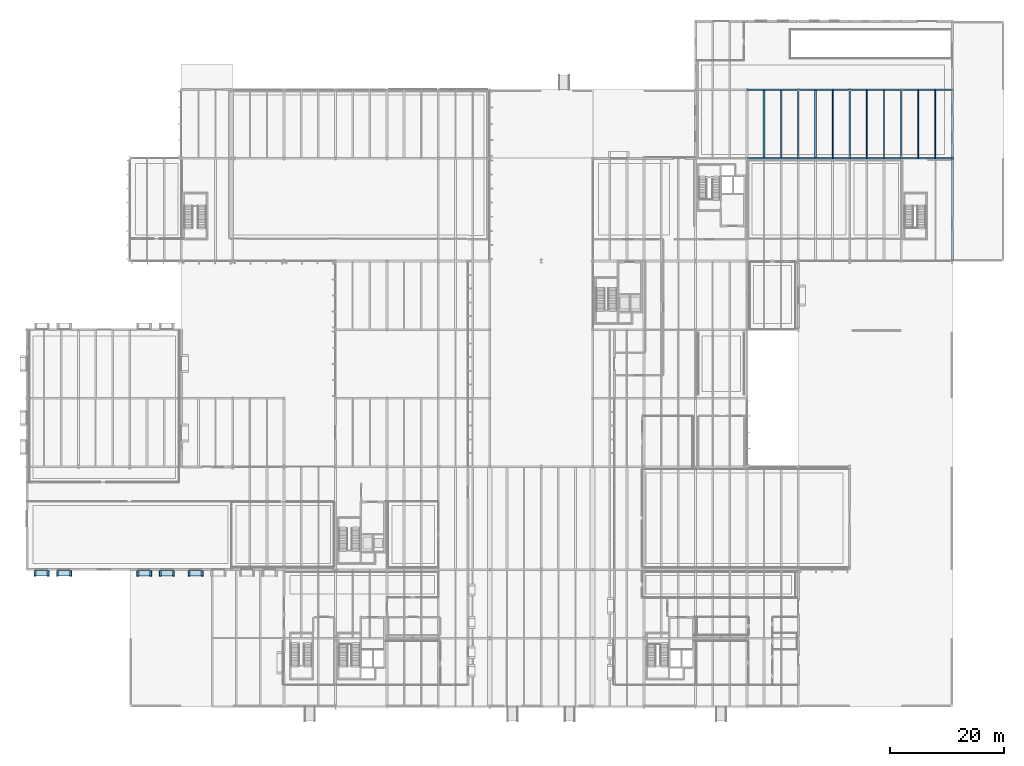
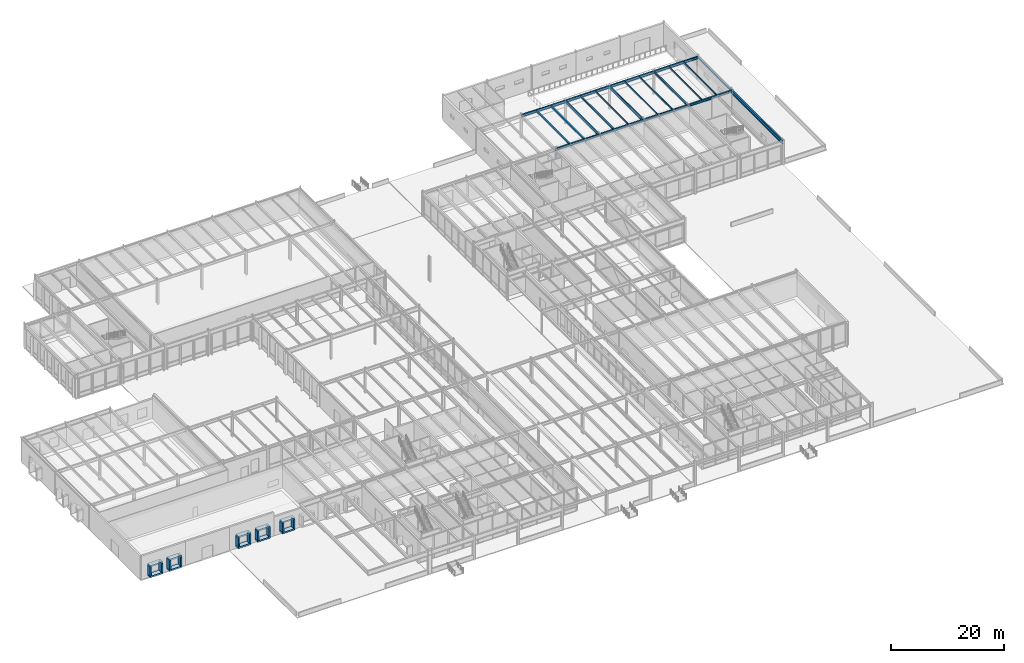
# One storey, part 103 of 143: 21 beams, 20 plates.
"""IFC4 building model written with IfcOpenShell, lengths in metres."""

import ifcopenshell
import ifcopenshell.guid

model = None  # the IFC model being written
_history = None  # IfcOwnerHistory: only IFC2X3 demands one
_inside = {}  # id of a spatial element -> (the spatial element, [elements in it])
_under = {}  # id of a project, library or spatial element -> (it, [spatial elements below it])
_declared = {}  # id of a project -> (the project, [libraries it declares])
_typed = {}  # id of a type object -> (the type object, [elements of that type])
_made_of = {}  # id of a material, layer set ... -> (it, [elements and type objects made of it])


def new_model(schema):
    """Start an empty IFC model of exactly this schema.

    Asked for "IFC4X3", IfcOpenShell would pick the latest addendum, in which some entities
    have other attributes; the version numbers below select the first issue.
    IFC2X3 requires an IfcOwnerHistory on every rooted entity: one is made here for all.
    """
    global model, _history
    if schema == "IFC4X3":
        model = ifcopenshell.file(schema_version=(4, 3, 0, 0))
    else:
        model = ifcopenshell.file(schema=schema)
    _inside.clear()
    _under.clear()
    _declared.clear()
    _typed.clear()
    _made_of.clear()
    _history = None
    if model.schema == "IFC2X3":
        org = make("IfcOrganization", Name="unknown")
        user = make(
            "IfcPersonAndOrganization",
            ThePerson=make("IfcPerson", FamilyName="unknown"),
            TheOrganization=org,
        )
        app = make(
            "IfcApplication",
            ApplicationDeveloper=org,
            Version="unknown",
            ApplicationFullName="unknown",
            ApplicationIdentifier="unknown",
        )
        _history = make(
            "IfcOwnerHistory",
            OwningUser=user,
            OwningApplication=app,
            ChangeAction="ADDED",
            CreationDate=0,
        )
    return model


def make(cls, **values):
    """One entity of the class cls with the attributes given. An attribute that is None is left unset."""
    return model.create_entity(
        cls, **{name: value for name, value in values.items() if value is not None}
    )


def rooted(cls, **values):
    """An entity with a GlobalId (a new one), such as an element, a storey or a relation."""
    return make(cls, GlobalId=ifcopenshell.guid.new(), OwnerHistory=_history, **values)


def si_unit(unit_type, name, prefix=None):
    """IfcSIUnit, for example si_unit("LENGTHUNIT", "METRE", prefix="MILLI")."""
    return make("IfcSIUnit", UnitType=unit_type, Prefix=prefix, Name=name)


def assignment(units):
    """IfcUnitAssignment: the units of a project."""
    return None if units is None else make("IfcUnitAssignment", Units=units)


def point(xyz):
    """IfcCartesianPoint."""
    return None if xyz is None else make("IfcCartesianPoint", Coordinates=xyz)


def direction(xyz):
    """IfcDirection."""
    return None if xyz is None else make("IfcDirection", DirectionRatios=xyz)


def frame(location, z_axis=None, x_axis=None):
    """IfcAxis2Placement3D, a coordinate frame: its origin and axes. An axis left out is left unset."""
    return make(
        "IfcAxis2Placement3D",
        Location=point(location),
        Axis=direction(z_axis),
        RefDirection=direction(x_axis),
    )


def frame_2d(location, x_axis=None):
    """IfcAxis2Placement2D, a coordinate frame in the plane: its origin and x axis."""
    return make(
        "IfcAxis2Placement2D", Location=point(location), RefDirection=direction(x_axis)
    )


def origin():
    """The frame at (0, 0, 0) with its axes left unset."""
    return frame((0.0, 0.0, 0.0))


def origin_2d():
    """The frame at (0, 0) in the plane with its x axis left unset."""
    return frame_2d((0.0, 0.0))


def place(relative_to, where):
    """IfcLocalPlacement: puts the frame where relative to a parent placement (None: the world)."""
    return make(
        "IfcLocalPlacement", PlacementRelTo=relative_to, RelativePlacement=where
    )


def context(
    kind, dimensions, precision=None, world=None, true_north=None, identifier=None
):
    """IfcGeometricRepresentationContext, for example the 3D "Model" context."""
    return make(
        "IfcGeometricRepresentationContext",
        ContextIdentifier=identifier,
        ContextType=kind,
        CoordinateSpaceDimension=dimensions,
        Precision=precision,
        WorldCoordinateSystem=world,
        TrueNorth=true_north,
    )


def subcontext(parent, identifier, kind, view, scale=None):
    """IfcGeometricRepresentationSubContext, for example "Body" below "Model"."""
    return make(
        "IfcGeometricRepresentationSubContext",
        ContextIdentifier=identifier,
        ContextType=kind,
        ParentContext=parent,
        TargetScale=scale,
        TargetView=view,
    )


def project(units=None, contexts=None):
    """IfcProject with its units and contexts."""
    return rooted(
        "IfcProject",
        Name="project",
        RepresentationContexts=contexts,
        UnitsInContext=assignment(units),
    )


def spatial(cls, under=None, at=None, **own):
    """A site, building, storey or space (cls), placed at a placement, below another one or the project."""
    s = rooted(cls, ObjectPlacement=at, **own)
    if under is not None:
        _under.setdefault(under.id(), (under, []))[1].append(s)
    return s


def profile(cls, at=None, kind="AREA", **sizes):
    """A parametric profile (cls). Its sizes go by their IFC names, for example OverallWidth=200.0."""
    return make(cls, ProfileType=kind, Position=at, **sizes)


def rectangle(**sizes):
    """IfcRectangleProfileDef."""
    return profile("IfcRectangleProfileDef", **sizes)


def i_section(**sizes):
    """IfcIShapeProfileDef."""
    return profile("IfcIShapeProfileDef", **sizes)


def extrude(swept, where, along, depth):
    """IfcExtrudedAreaSolid: the profile swept, set in the frame where, extruded along a direction by depth."""
    return make(
        "IfcExtrudedAreaSolid",
        SweptArea=swept,
        Position=where,
        ExtrudedDirection=direction(along),
        Depth=depth,
    )


def shape(context_of_items, identifier, shape_type, items):
    """IfcShapeRepresentation: the items that make up one representation, for example the "Body"."""
    return make(
        "IfcShapeRepresentation",
        ContextOfItems=context_of_items,
        RepresentationIdentifier=identifier,
        RepresentationType=shape_type,
        Items=items,
    )


def material(Name=None, Category=None):
    """IfcMaterial."""
    return make("IfcMaterial", Name=Name, Category=Category)


def layer(
    of_material, thickness, ventilated=None, Name=None, Category=None, Priority=None
):
    """IfcMaterialLayer: one layer of a wall or slab, of a material (None: an air gap)."""
    return make(
        "IfcMaterialLayer",
        Material=of_material,
        LayerThickness=thickness,
        IsVentilated=ventilated,
        Name=Name,
        Category=Category,
        Priority=Priority,
    )


def layer_set(layers, Name=None):
    """IfcMaterialLayerSet."""
    return make("IfcMaterialLayerSet", MaterialLayers=layers, LayerSetName=Name)


def material_profile(
    of_material, cross_section, Name=None, Category=None, Priority=None
):
    """IfcMaterialProfile: a cross section and its material."""
    return make(
        "IfcMaterialProfile",
        Name=Name,
        Material=of_material,
        Profile=cross_section,
        Priority=Priority,
        Category=Category,
    )


def profile_set(profiles, Name=None, composite=None):
    """IfcMaterialProfileSet."""
    return make(
        "IfcMaterialProfileSet",
        Name=Name,
        MaterialProfiles=profiles,
        CompositeProfile=composite,
    )


def made_of(thing, what):
    """Note that an element or type object is made of a material, layer set ...; save() writes the relation."""
    if what is not None:
        _made_of.setdefault(what.id(), (what, []))[1].append(thing)
    return thing


def type_object(cls, material=None, **own):
    """A type object (cls), such as IfcWallType, which elements share."""
    return made_of(rooted(cls, **own), material)


def element(
    cls,
    number,
    at=None,
    inside=None,
    cuts=None,
    type_object=None,
    material=None,
    context=None,
    identifier="Body",
    shape_type=None,
    held_by="IfcProductDefinitionShape",
    body=None,
    shapes=None,
    **own,
):
    """One element of the class cls, such as IfcWall. Its Tag is "e" and its number.

    at: its placement. inside: the storey or other place that contains it. cuts: it is an
    opening in that element (IfcRelVoidsElement). A single representation is given by context,
    identifier, shape_type and body (its items); several are given by shapes. held_by: the class
    of the entity that holds the representations. save() writes the other relations.
    """
    e = rooted(cls, Tag="e%d" % number, ObjectPlacement=at, **own)
    if body is not None:
        shapes = [shape(context, identifier, shape_type, body)]
    if shapes is not None:
        e.Representation = make(held_by, Representations=shapes)
    if inside is not None:
        _inside.setdefault(inside.id(), (inside, []))[1].append(e)
    if cuts is not None:
        rooted(
            "IfcRelVoidsElement", RelatingBuildingElement=cuts, RelatedOpeningElement=e
        )
    if type_object is not None:
        _typed.setdefault(type_object.id(), (type_object, []))[1].append(e)
    return made_of(e, material)


def aggregate(whole, parts):
    """IfcRelAggregates: a whole, such as a stair, and the parts it consists of."""
    return rooted("IfcRelAggregates", RelatingObject=whole, RelatedObjects=parts)


def save(model, path):
    """Write the relations noted so far, then the file.

    IfcRelAggregates (storeys below a building ...), IfcRelContainedInSpatialStructure (elements
    in a storey), IfcRelDefinesByType, IfcRelAssociatesMaterial and IfcRelDeclares: one each for
    every whole, place, type object, material and project.
    """
    for whole, parts in _under.values():
        aggregate(whole, parts)
    for where, things in _inside.values():
        rooted(
            "IfcRelContainedInSpatialStructure",
            RelatedElements=things,
            RelatingStructure=where,
        )
    for kind, things in _typed.values():
        rooted("IfcRelDefinesByType", RelatedObjects=things, RelatingType=kind)
    for what, things in _made_of.values():
        rooted("IfcRelAssociatesMaterial", RelatedObjects=things, RelatingMaterial=what)
    for by, libraries in _declared.values():
        rooted("IfcRelDeclares", RelatingContext=by, RelatedDefinitions=libraries)
    model.write(path)


model = new_model("IFC4")

# Units and contexts
model_context = context("Model", 3, precision=1e-05, world=origin(), true_north=direction((0.0, 1.0)))
body_context = subcontext(model_context, "Body", "Model", "MODEL_VIEW")
ifc_project = project(units=[si_unit("LENGTHUNIT", "METRE"), si_unit("AREAUNIT", "SQUARE_METRE"), si_unit("VOLUMEUNIT", "CUBIC_METRE"), si_unit("PLANEANGLEUNIT", "RADIAN"), si_unit("MASSUNIT", "GRAM", prefix="KILO")], contexts=[model_context])

# Site, building, storey
site_placement = place(None, origin())
site = spatial("IfcSite", under=ifc_project, at=site_placement, CompositionType="ELEMENT")
building_placement = place(site_placement, origin())
building = spatial("IfcBuilding", under=site, at=building_placement, Name="Montelvaro Courts of Justice", CompositionType="ELEMENT")
storey_placement = place(building_placement, origin())
storey = spatial("IfcBuildingStorey", under=building, at=storey_placement, Name="L00", CompositionType="ELEMENT", Elevation=0.0)

# Beams
ifc_material_1 = material(Name="Steel S355", Category="steel")
ifc_material_profile_1 = material_profile(ifc_material_1, i_section(OverallWidth=0.280029296875, OverallDepth=0.27001953125, WebThickness=0.008056640625, FlangeThickness=0.012939453125, at=origin_2d()), Name="HEA 280")
ifc_profile_set_1 = profile_set([ifc_material_profile_1], Name="Steel S355")
beam_type_1 = type_object("IfcBeamType", Name="Beam_HEA280", PredefinedType="BEAM", material=ifc_profile_set_1)
beam_1_placement = place(storey_placement, frame((129.0, 96.110107421875, 4.905029296875), z_axis=(0.0, 1.0, 0.0), x_axis=(-1.0, 0.0, 0.0)))
element("IfcBeam", 1, at=beam_1_placement, inside=storey, type_object=beam_type_1, Name="Beam B-14 L00", PredefinedType="BEAM", context=body_context, shape_type="SweptSolid", body=[
    extrude(i_section(OverallWidth=0.280029296875, OverallDepth=0.27001953125, WebThickness=0.008056640625, FlangeThickness=0.012939453125, at=origin_2d()), origin(), (0.0, 0.0, 1.0), 11.77978515625),
])
ifc_material_profile_2 = material_profile(ifc_material_1, i_section(OverallWidth=0.300048828125, OverallDepth=0.31005859375, WebThickness=0.009033203125, FlangeThickness=0.015380859375, at=origin_2d()), Name="HEA 320")
ifc_profile_set_2 = profile_set([ifc_material_profile_2], Name="Steel S355")
beam_type_2 = type_object("IfcBeamType", Name="Beam_HEA320", PredefinedType="BEAM", material=ifc_profile_set_2)
for number, where, z_axis, x_axis, name in (
    (2, (132.0, 96.110107421875, 4.885009765625), (0.0, 1.0, 0.0), (-1.0, 0.0, 0.0), "Beam B-15 L00"),
    (3, (138.0, 96.110107421875, 4.885009765625), (0.0, 1.0, 0.0), (-1.0, 0.0, 0.0), "Beam B-15 L00"),
):
    element("IfcBeam", number, at=place(storey_placement, frame(where, z_axis=z_axis, x_axis=x_axis)), inside=storey, type_object=beam_type_2, Name=name, PredefinedType="BEAM", context=body_context, shape_type="SweptSolid", body=[
        extrude(i_section(OverallWidth=0.300048828125, OverallDepth=0.31005859375, WebThickness=0.009033203125, FlangeThickness=0.015380859375, at=origin_2d()), origin(), (0.0, 0.0, 1.0), 11.77978515625),
    ])
ifc_material_profile_3 = material_profile(ifc_material_1, i_section(OverallWidth=0.300048828125, OverallDepth=0.35009765625, WebThickness=0.010009765625, FlangeThickness=0.017578125, at=origin_2d()), Name="HEA 360")
ifc_profile_set_3 = profile_set([ifc_material_profile_3], Name="Steel S355")
beam_type_3 = type_object("IfcBeamType", Name="Beam_HEA360", PredefinedType="USERDEFINED", material=ifc_profile_set_3)
beam_2_placement = place(storey_placement, frame((153.0, 96.0, 4.864990234375), z_axis=(0.0, 1.0, 0.0), x_axis=(-1.0, 0.0, 0.0)))
element("IfcBeam", 4, at=beam_2_placement, inside=storey, type_object=beam_type_3, Name="Beam B-16 L00", ObjectType="GIRDER", PredefinedType="USERDEFINED", context=body_context, shape_type="SweptSolid", body=[
    extrude(i_section(OverallWidth=0.300048828125, OverallDepth=0.35009765625, WebThickness=0.010009765625, FlangeThickness=0.017578125, at=origin_2d()), origin(), (0.0, 0.0, 1.0), 12.0),
])
ifc_material_profile_4 = material_profile(ifc_material_1, i_section(OverallWidth=0.300048828125, OverallDepth=0.389892578125, WebThickness=0.010986328125, FlangeThickness=0.01904296875, at=origin_2d()), Name="HEA 400")
ifc_profile_set_4 = profile_set([ifc_material_profile_4], Name="Steel S355")
beam_type_4 = type_object("IfcBeamType", Name="Beam_HEA400", PredefinedType="USERDEFINED", material=ifc_profile_set_4)
beam_3_placement = place(storey_placement, frame((162.0, 96.0, 4.844970703125), z_axis=(0.0, 1.0, 0.0), x_axis=(-1.0, 0.0, 0.0)))
element("IfcBeam", 5, at=beam_3_placement, inside=storey, type_object=beam_type_4, Name="Beam B-17 L00", ObjectType="GIRDER", PredefinedType="USERDEFINED", context=body_context, shape_type="SweptSolid", body=[
    extrude(i_section(OverallWidth=0.300048828125, OverallDepth=0.389892578125, WebThickness=0.010986328125, FlangeThickness=0.01904296875, at=origin_2d()), origin(), (0.0, 0.0, 1.0), 12.0),
])
ifc_material_profile_5 = material_profile(ifc_material_1, i_section(OverallWidth=0.300048828125, OverallDepth=0.489990234375, WebThickness=0.011962890625, FlangeThickness=0.02294921875, at=origin_2d()), Name="HEA 500")
ifc_profile_set_5 = profile_set([ifc_material_profile_5], Name="Steel S355")
beam_type_5 = type_object("IfcBeamType", Name="Beam_HEA500", PredefinedType="USERDEFINED", material=ifc_profile_set_5)
for number, where, z_axis, x_axis, name in (
    (6, (126.0, 96.0, 4.794921875), (1.0, 0.0, 0.0), (0.0, 1.0, 0.0), "Beam B-19 L00"),
    (7, (135.0, 96.0, 4.794921875), (1.0, 0.0, 0.0), (0.0, 1.0, 0.0), "Beam B-19 L00"),
    (8, (144.0, 96.0, 4.794921875), (1.0, 0.0, 0.0), (0.0, 1.0, 0.0), "Beam B-19 L00"),
    (9, (153.0, 96.0, 4.794921875), (1.0, 0.0, 0.0), (0.0, 1.0, 0.0), "Beam B-19 L00"),
):
    element("IfcBeam", number, at=place(storey_placement, frame(where, z_axis=z_axis, x_axis=x_axis)), inside=storey, type_object=beam_type_5, Name=name, ObjectType="GIRDER", PredefinedType="USERDEFINED", context=body_context, shape_type="SweptSolid", body=[
        extrude(i_section(OverallWidth=0.300048828125, OverallDepth=0.489990234375, WebThickness=0.011962890625, FlangeThickness=0.02294921875, at=origin_2d()), origin(), (0.0, 0.0, 1.0), 9.0),
    ])
ifc_material_profile_6 = material_profile(ifc_material_1, i_section(OverallWidth=0.300048828125, OverallDepth=0.5400390625, WebThickness=0.012451171875, FlangeThickness=0.02392578125, at=origin_2d()), Name="HEA 550")
ifc_profile_set_6 = profile_set([ifc_material_profile_6], Name="Steel S355")
beam_type_6 = type_object("IfcBeamType", Name="Beam_HEA550", PredefinedType="USERDEFINED", material=ifc_profile_set_6)
for number, where, z_axis, x_axis, name in (
    (10, (126.0, 108.0, 4.77001953125), (1.0, 0.0, 0.0), (0.0, 1.0, 0.0), "Beam B-20 L00"),
    (11, (135.0, 108.0, 4.77001953125), (1.0, 0.0, 0.0), (0.0, 1.0, 0.0), "Beam B-20 L00"),
    (12, (144.0, 108.0, 4.77001953125), (1.0, 0.0, 0.0), (0.0, 1.0, 0.0), "Beam B-20 L00"),
    (13, (153.0, 108.0, 4.77001953125), (1.0, 0.0, 0.0), (0.0, 1.0, 0.0), "Beam B-20 L00"),
):
    element("IfcBeam", number, at=place(storey_placement, frame(where, z_axis=z_axis, x_axis=x_axis)), inside=storey, type_object=beam_type_6, Name=name, ObjectType="GIRDER", PredefinedType="USERDEFINED", context=body_context, shape_type="SweptSolid", body=[
        extrude(i_section(OverallWidth=0.300048828125, OverallDepth=0.5400390625, WebThickness=0.012451171875, FlangeThickness=0.02392578125, at=origin_2d()), origin(), (0.0, 0.0, 1.0), 9.0),
    ])
ifc_material_profile_7 = material_profile(ifc_material_1, i_section(OverallWidth=0.300048828125, OverallDepth=0.800048828125, WebThickness=0.017578125, FlangeThickness=0.032958984375, at=origin_2d()), Name="HEB 800")
ifc_profile_set_7 = profile_set([ifc_material_profile_7], Name="Steel S355")
beam_type_7 = type_object("IfcBeamType", Name="Beam_HEB800", PredefinedType="USERDEFINED", material=ifc_profile_set_7)
beam_4_placement = place(storey_placement, frame((162.0, 78.0, 4.699951171875), z_axis=(0.0, 1.0, 0.0), x_axis=(-1.0, 0.0, 0.0)))
element("IfcBeam", 14, at=beam_4_placement, inside=storey, type_object=beam_type_7, Name="Beam B-29 L00", ObjectType="GIRDER", PredefinedType="USERDEFINED", context=body_context, shape_type="SweptSolid", body=[
    extrude(i_section(OverallWidth=0.300048828125, OverallDepth=0.800048828125, WebThickness=0.017578125, FlangeThickness=0.032958984375, at=origin_2d()), origin(), (0.0, 0.0, 1.0), 18.0),
])
ifc_material_profile_8 = material_profile(ifc_material_1, i_section(OverallWidth=0.14990234375, OverallDepth=0.300048828125, WebThickness=0.007080078125, FlangeThickness=0.0107421875, at=origin_2d()), Name="IPE 300")
ifc_profile_set_8 = profile_set([ifc_material_profile_8], Name="Steel S355")
beam_type_8 = type_object("IfcBeamType", Name="Beam_IPE300", PredefinedType="BEAM", material=ifc_profile_set_8)
for number, where, z_axis, x_axis, name in (
    (15, (141.0, 96.110107421875, 4.889892578125), (0.0, 1.0, 0.0), (-1.0, 0.0, 0.0), "Beam B-05 L00"),
    (16, (147.0, 96.110107421875, 4.889892578125), (0.0, 1.0, 0.0), (-1.0, 0.0, 0.0), "Beam B-05 L00"),
):
    element("IfcBeam", number, at=place(storey_placement, frame(where, z_axis=z_axis, x_axis=x_axis)), inside=storey, type_object=beam_type_8, Name=name, PredefinedType="BEAM", context=body_context, shape_type="SweptSolid", body=[
        extrude(i_section(OverallWidth=0.14990234375, OverallDepth=0.300048828125, WebThickness=0.007080078125, FlangeThickness=0.0107421875, at=origin_2d()), origin(), (0.0, 0.0, 1.0), 11.77978515625),
    ])
ifc_material_profile_9 = material_profile(ifc_material_1, i_section(OverallWidth=0.159912109375, OverallDepth=0.330078125, WebThickness=0.007568359375, FlangeThickness=0.011474609375, at=origin_2d()), Name="IPE 330")
ifc_profile_set_9 = profile_set([ifc_material_profile_9], Name="Steel S355")
beam_type_9 = type_object("IfcBeamType", Name="Beam_IPE330", PredefinedType="BEAM", material=ifc_profile_set_9)
for number, where, z_axis, x_axis, name in (
    (17, (150.0, 96.110107421875, 4.875), (0.0, 1.0, 0.0), (-1.0, 0.0, 0.0), "Beam B-06 L00"),
    (18, (156.0, 96.110107421875, 4.875), (0.0, 1.0, 0.0), (-1.0, 0.0, 0.0), "Beam B-06 L00"),
):
    element("IfcBeam", number, at=place(storey_placement, frame(where, z_axis=z_axis, x_axis=x_axis)), inside=storey, type_object=beam_type_9, Name=name, PredefinedType="BEAM", context=body_context, shape_type="SweptSolid", body=[
        extrude(i_section(OverallWidth=0.159912109375, OverallDepth=0.330078125, WebThickness=0.007568359375, FlangeThickness=0.011474609375, at=origin_2d()), origin(), (0.0, 0.0, 1.0), 11.77978515625),
    ])
ifc_material_profile_10 = material_profile(ifc_material_1, i_section(OverallWidth=0.169921875, OverallDepth=0.360107421875, WebThickness=0.008056640625, FlangeThickness=0.0126953125, at=origin_2d()), Name="IPE 360")
ifc_profile_set_10 = profile_set([ifc_material_profile_10], Name="Steel S355")
beam_type_10 = type_object("IfcBeamType", Name="Beam_IPE360", PredefinedType="BEAM", material=ifc_profile_set_10)
beam_5_placement = place(storey_placement, frame((159.0, 96.110107421875, 4.860107421875), z_axis=(0.0, 1.0, 0.0), x_axis=(-1.0, 0.0, 0.0)))
element("IfcBeam", 19, at=beam_5_placement, inside=storey, type_object=beam_type_10, Name="Beam B-07 L00", PredefinedType="BEAM", context=body_context, shape_type="SweptSolid", body=[
    extrude(i_section(OverallWidth=0.169921875, OverallDepth=0.360107421875, WebThickness=0.008056640625, FlangeThickness=0.0126953125, at=origin_2d()), origin(), (0.0, 0.0, 1.0), 11.77978515625),
])
ifc_material_profile_11 = material_profile(ifc_material_1, i_section(OverallWidth=0.2099609375, OverallDepth=0.550048828125, WebThickness=0.010986328125, FlangeThickness=0.01708984375, at=origin_2d()), Name="IPE 550")
ifc_profile_set_11 = profile_set([ifc_material_profile_11], Name="Steel S355")
beam_type_11 = type_object("IfcBeamType", Name="Beam_IPE550", PredefinedType="BEAM", material=ifc_profile_set_11)
beam_6_placement = place(storey_placement, frame((135.0, 96.0, 4.764892578125), z_axis=(0.0, 1.0, 0.0), x_axis=(-1.0, 0.0, 0.0)))
element("IfcBeam", 20, at=beam_6_placement, inside=storey, type_object=beam_type_11, Name="Beam B-11 L00", PredefinedType="BEAM", context=body_context, shape_type="SweptSolid", body=[
    extrude(i_section(OverallWidth=0.2099609375, OverallDepth=0.550048828125, WebThickness=0.010986328125, FlangeThickness=0.01708984375, at=origin_2d()), origin(), (0.0, 0.0, 1.0), 12.0),
])
ifc_material_profile_12 = material_profile(ifc_material_1, i_section(OverallWidth=0.219970703125, OverallDepth=0.60009765625, WebThickness=0.011962890625, FlangeThickness=0.01904296875, at=origin_2d()), Name="IPE 600")
ifc_profile_set_12 = profile_set([ifc_material_profile_12], Name="Steel S355")
beam_type_12 = type_object("IfcBeamType", Name="Beam_IPE600", PredefinedType="USERDEFINED", material=ifc_profile_set_12)
beam_7_placement = place(storey_placement, frame((144.0, 96.0, 4.739990234375), z_axis=(0.0, 1.0, 0.0), x_axis=(-1.0, 0.0, 0.0)))
element("IfcBeam", 21, at=beam_7_placement, inside=storey, type_object=beam_type_12, Name="Beam B-12 L00", ObjectType="GIRDER", PredefinedType="USERDEFINED", context=body_context, shape_type="SweptSolid", body=[
    extrude(i_section(OverallWidth=0.219970703125, OverallDepth=0.60009765625, WebThickness=0.011962890625, FlangeThickness=0.01904296875, at=origin_2d()), origin(), (0.0, 0.0, 1.0), 12.0),
])

# Plates
ifc_material_2 = material(Name="White mineral precast concrete C45/55", Category="concrete")
ifc_layer = layer(ifc_material_2, 0.300048828125)
ifc_layer_set = layer_set([ifc_layer], Name="White mineral precast concrete C45/55")
plate_type = type_object("IfcPlateType", Name="PrecastSquareFrame_300x950", PredefinedType="SHEET", material=ifc_layer_set)
for number, where, z_axis, x_axis, name in (
    (22, (2.552001953125, 23.35498046875, 2.85009765625), (0.0, 0.0, 1.0), (1.0, 0.0, 0.0), "Graduated Square Window Frame PF-02 W-L00-003 TOP"),
    (23, (2.552001953125, 23.35498046875, 0.5498046875), (0.0, 0.0, 1.0), (1.0, 0.0, 0.0), "Graduated Square Window Frame PF-02 W-L00-003 BOT"),
):
    element("IfcPlate", number, at=place(storey_placement, frame(where, z_axis=z_axis, x_axis=x_axis)), inside=storey, type_object=plate_type, Name=name, PredefinedType="SHEET", context=body_context, shape_type="SweptSolid", body=[
        extrude(rectangle(XDim=2.60009765625, YDim=0.9599609375, at=origin_2d()), origin(), (0.0, 0.0, 1.0), 0.300048828125),
    ])
for number, where, z_axis, x_axis, name in (
    (24, (1.402099609375, 23.35498046875, 0.85009765625), (0.0, 0.0, 1.0), (1.0, 0.0, 0.0), "Graduated Square Window Frame PF-02 W-L00-003 L"),
    (25, (3.701904296875, 23.35498046875, 0.85009765625), (0.0, 0.0, 1.0), (1.0, 0.0, 0.0), "Graduated Square Window Frame PF-02 W-L00-003 R"),
):
    element("IfcPlate", number, at=place(storey_placement, frame(where, z_axis=z_axis, x_axis=x_axis)), inside=storey, type_object=plate_type, Name=name, PredefinedType="SHEET", context=body_context, shape_type="SweptSolid", body=[
        extrude(rectangle(XDim=0.300048828125, YDim=0.9599609375, at=origin_2d()), origin(), (0.0, 0.0, 1.0), 2.0),
    ])
for number, where, z_axis, x_axis, name in (
    (26, (6.498046875, 23.35498046875, 2.85009765625), (0.0, 0.0, 1.0), (1.0, 0.0, 0.0), "Graduated Square Window Frame PF-02 W-L00-004 TOP"),
    (27, (6.498046875, 23.35498046875, 0.5498046875), (0.0, 0.0, 1.0), (1.0, 0.0, 0.0), "Graduated Square Window Frame PF-02 W-L00-004 BOT"),
):
    element("IfcPlate", number, at=place(storey_placement, frame(where, z_axis=z_axis, x_axis=x_axis)), inside=storey, type_object=plate_type, Name=name, PredefinedType="SHEET", context=body_context, shape_type="SweptSolid", body=[
        extrude(rectangle(XDim=2.60009765625, YDim=0.9599609375, at=origin_2d()), origin(), (0.0, 0.0, 1.0), 0.300048828125),
    ])
for number, where, z_axis, x_axis, name in (
    (28, (5.347900390625, 23.35498046875, 0.85009765625), (0.0, 0.0, 1.0), (1.0, 0.0, 0.0), "Graduated Square Window Frame PF-02 W-L00-004 L"),
    (29, (7.64794921875, 23.35498046875, 0.85009765625), (0.0, 0.0, 1.0), (1.0, 0.0, 0.0), "Graduated Square Window Frame PF-02 W-L00-004 R"),
):
    element("IfcPlate", number, at=place(storey_placement, frame(where, z_axis=z_axis, x_axis=x_axis)), inside=storey, type_object=plate_type, Name=name, PredefinedType="SHEET", context=body_context, shape_type="SweptSolid", body=[
        extrude(rectangle(XDim=0.300048828125, YDim=0.9599609375, at=origin_2d()), origin(), (0.0, 0.0, 1.0), 2.0),
    ])
for number, where, z_axis, x_axis, name in (
    (30, (20.51611328125, 23.35498046875, 2.85009765625), (0.0, 0.0, 1.0), (1.0, 0.0, 0.0), "Graduated Square Window Frame PF-02 W-L00-005 TOP"),
    (31, (20.51611328125, 23.35498046875, 0.5498046875), (0.0, 0.0, 1.0), (1.0, 0.0, 0.0), "Graduated Square Window Frame PF-02 W-L00-005 BOT"),
):
    element("IfcPlate", number, at=place(storey_placement, frame(where, z_axis=z_axis, x_axis=x_axis)), inside=storey, type_object=plate_type, Name=name, PredefinedType="SHEET", context=body_context, shape_type="SweptSolid", body=[
        extrude(rectangle(XDim=2.60009765625, YDim=0.9599609375, at=origin_2d()), origin(), (0.0, 0.0, 1.0), 0.300048828125),
    ])
for number, where, z_axis, x_axis, name in (
    (32, (19.365966796875, 23.35498046875, 0.85009765625), (0.0, 0.0, 1.0), (1.0, 0.0, 0.0), "Graduated Square Window Frame PF-02 W-L00-005 L"),
    (33, (21.666015625, 23.35498046875, 0.85009765625), (0.0, 0.0, 1.0), (1.0, 0.0, 0.0), "Graduated Square Window Frame PF-02 W-L00-005 R"),
):
    element("IfcPlate", number, at=place(storey_placement, frame(where, z_axis=z_axis, x_axis=x_axis)), inside=storey, type_object=plate_type, Name=name, PredefinedType="SHEET", context=body_context, shape_type="SweptSolid", body=[
        extrude(rectangle(XDim=0.300048828125, YDim=0.9599609375, at=origin_2d()), origin(), (0.0, 0.0, 1.0), 2.0),
    ])
for number, where, z_axis, x_axis, name in (
    (34, (24.48388671875, 23.35498046875, 2.85009765625), (0.0, 0.0, 1.0), (1.0, 0.0, 0.0), "Graduated Square Window Frame PF-02 W-L00-006 TOP"),
    (35, (24.48388671875, 23.35498046875, 0.5498046875), (0.0, 0.0, 1.0), (1.0, 0.0, 0.0), "Graduated Square Window Frame PF-02 W-L00-006 BOT"),
):
    element("IfcPlate", number, at=place(storey_placement, frame(where, z_axis=z_axis, x_axis=x_axis)), inside=storey, type_object=plate_type, Name=name, PredefinedType="SHEET", context=body_context, shape_type="SweptSolid", body=[
        extrude(rectangle(XDim=2.60009765625, YDim=0.9599609375, at=origin_2d()), origin(), (0.0, 0.0, 1.0), 0.300048828125),
    ])
for number, where, z_axis, x_axis, name in (
    (36, (23.333984375, 23.35498046875, 0.85009765625), (0.0, 0.0, 1.0), (1.0, 0.0, 0.0), "Graduated Square Window Frame PF-02 W-L00-006 L"),
    (37, (25.634033203125, 23.35498046875, 0.85009765625), (0.0, 0.0, 1.0), (1.0, 0.0, 0.0), "Graduated Square Window Frame PF-02 W-L00-006 R"),
):
    element("IfcPlate", number, at=place(storey_placement, frame(where, z_axis=z_axis, x_axis=x_axis)), inside=storey, type_object=plate_type, Name=name, PredefinedType="SHEET", context=body_context, shape_type="SweptSolid", body=[
        extrude(rectangle(XDim=0.300048828125, YDim=0.9599609375, at=origin_2d()), origin(), (0.0, 0.0, 1.0), 2.0),
    ])
for number, where, z_axis, x_axis, name in (
    (38, (29.51611328125, 23.35498046875, 2.85009765625), (0.0, 0.0, 1.0), (1.0, 0.0, 0.0), "Graduated Square Window Frame PF-02 W-L00-007 TOP"),
    (39, (29.51611328125, 23.35498046875, 0.5498046875), (0.0, 0.0, 1.0), (1.0, 0.0, 0.0), "Graduated Square Window Frame PF-02 W-L00-007 BOT"),
):
    element("IfcPlate", number, at=place(storey_placement, frame(where, z_axis=z_axis, x_axis=x_axis)), inside=storey, type_object=plate_type, Name=name, PredefinedType="SHEET", context=body_context, shape_type="SweptSolid", body=[
        extrude(rectangle(XDim=2.60009765625, YDim=0.9599609375, at=origin_2d()), origin(), (0.0, 0.0, 1.0), 0.300048828125),
    ])
for number, where, z_axis, x_axis, name in (
    (40, (28.365966796875, 23.35498046875, 0.85009765625), (0.0, 0.0, 1.0), (1.0, 0.0, 0.0), "Graduated Square Window Frame PF-02 W-L00-007 L"),
    (41, (30.666015625, 23.35498046875, 0.85009765625), (0.0, 0.0, 1.0), (1.0, 0.0, 0.0), "Graduated Square Window Frame PF-02 W-L00-007 R"),
):
    element("IfcPlate", number, at=place(storey_placement, frame(where, z_axis=z_axis, x_axis=x_axis)), inside=storey, type_object=plate_type, Name=name, PredefinedType="SHEET", context=body_context, shape_type="SweptSolid", body=[
        extrude(rectangle(XDim=0.300048828125, YDim=0.9599609375, at=origin_2d()), origin(), (0.0, 0.0, 1.0), 2.0),
    ])

save(model, "model.ifc")
